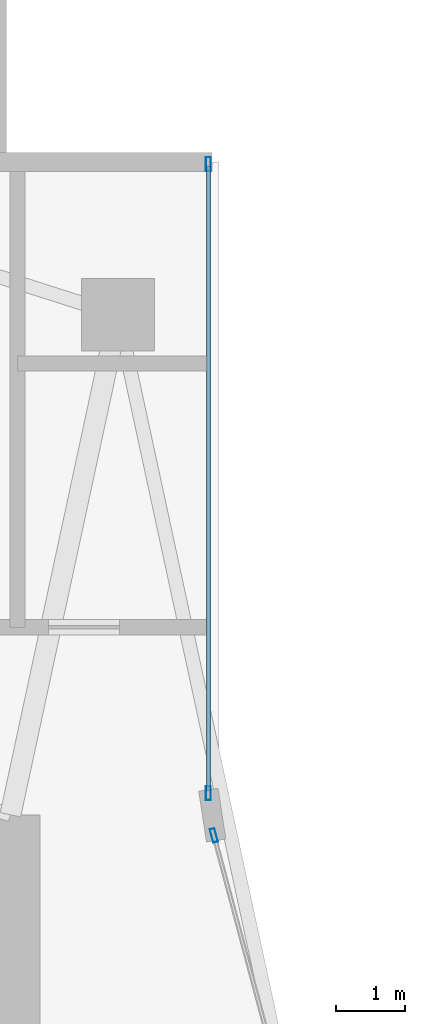
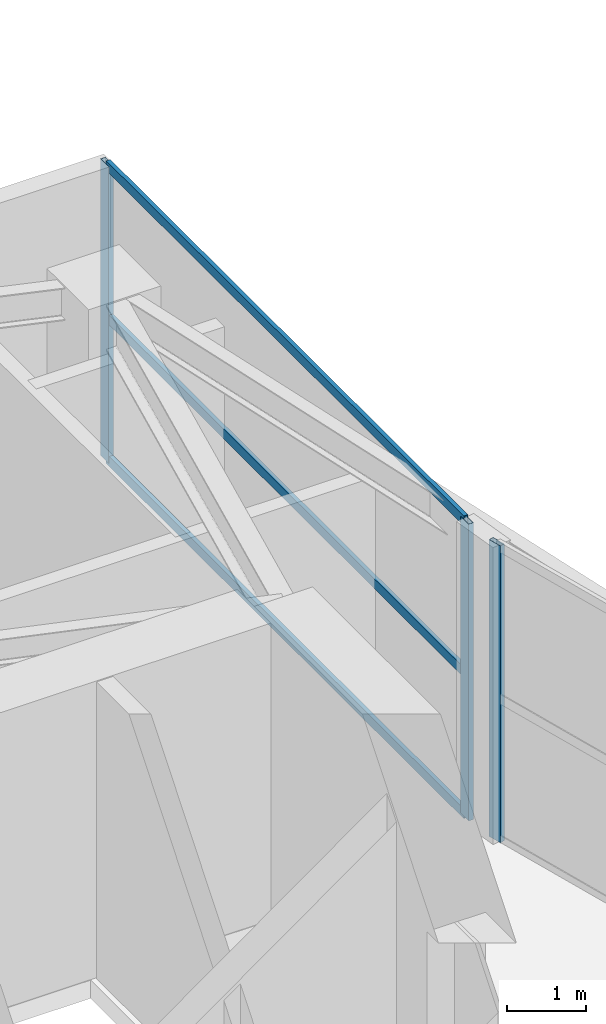
# One storey, part 8 of 19: 6 members, 2 elements without a shape of their own.
"""IFC4 building model written with IfcOpenShell, lengths in metres."""

import ifcopenshell
import ifcopenshell.guid

model = None  # the IFC model being written
_history = None  # IfcOwnerHistory: only IFC2X3 demands one
_inside = {}  # id of a spatial element -> (the spatial element, [elements in it])
_under = {}  # id of a project, library or spatial element -> (it, [spatial elements below it])
_declared = {}  # id of a project -> (the project, [libraries it declares])
_typed = {}  # id of a type object -> (the type object, [elements of that type])
_made_of = {}  # id of a material, layer set ... -> (it, [elements and type objects made of it])


def new_model(schema):
    """Start an empty IFC model of exactly this schema.

    Asked for "IFC4X3", IfcOpenShell would pick the latest addendum, in which some entities
    have other attributes; the version numbers below select the first issue.
    IFC2X3 requires an IfcOwnerHistory on every rooted entity: one is made here for all.
    """
    global model, _history
    if schema == "IFC4X3":
        model = ifcopenshell.file(schema_version=(4, 3, 0, 0))
    else:
        model = ifcopenshell.file(schema=schema)
    _inside.clear()
    _under.clear()
    _declared.clear()
    _typed.clear()
    _made_of.clear()
    _history = None
    if model.schema == "IFC2X3":
        org = make("IfcOrganization", Name="unknown")
        user = make(
            "IfcPersonAndOrganization",
            ThePerson=make("IfcPerson", FamilyName="unknown"),
            TheOrganization=org,
        )
        app = make(
            "IfcApplication",
            ApplicationDeveloper=org,
            Version="unknown",
            ApplicationFullName="unknown",
            ApplicationIdentifier="unknown",
        )
        _history = make(
            "IfcOwnerHistory",
            OwningUser=user,
            OwningApplication=app,
            ChangeAction="ADDED",
            CreationDate=0,
        )
    return model


def make(cls, **values):
    """One entity of the class cls with the attributes given. An attribute that is None is left unset."""
    return model.create_entity(
        cls, **{name: value for name, value in values.items() if value is not None}
    )


def rooted(cls, **values):
    """An entity with a GlobalId (a new one), such as an element, a storey or a relation."""
    return make(cls, GlobalId=ifcopenshell.guid.new(), OwnerHistory=_history, **values)


def si_unit(unit_type, name, prefix=None):
    """IfcSIUnit, for example si_unit("LENGTHUNIT", "METRE", prefix="MILLI")."""
    return make("IfcSIUnit", UnitType=unit_type, Prefix=prefix, Name=name)


def assignment(units):
    """IfcUnitAssignment: the units of a project."""
    return None if units is None else make("IfcUnitAssignment", Units=units)


def point(xyz):
    """IfcCartesianPoint."""
    return None if xyz is None else make("IfcCartesianPoint", Coordinates=xyz)


def direction(xyz):
    """IfcDirection."""
    return None if xyz is None else make("IfcDirection", DirectionRatios=xyz)


def frame(location, z_axis=None, x_axis=None):
    """IfcAxis2Placement3D, a coordinate frame: its origin and axes. An axis left out is left unset."""
    return make(
        "IfcAxis2Placement3D",
        Location=point(location),
        Axis=direction(z_axis),
        RefDirection=direction(x_axis),
    )


def frame_2d(location, x_axis=None):
    """IfcAxis2Placement2D, a coordinate frame in the plane: its origin and x axis."""
    return make(
        "IfcAxis2Placement2D", Location=point(location), RefDirection=direction(x_axis)
    )


def origin():
    """The frame at (0, 0, 0) with its axes left unset."""
    return frame((0.0, 0.0, 0.0))


def origin_2d():
    """The frame at (0, 0) in the plane with its x axis left unset."""
    return frame_2d((0.0, 0.0))


def place(relative_to, where):
    """IfcLocalPlacement: puts the frame where relative to a parent placement (None: the world)."""
    return make(
        "IfcLocalPlacement", PlacementRelTo=relative_to, RelativePlacement=where
    )


def context(
    kind, dimensions, precision=None, world=None, true_north=None, identifier=None
):
    """IfcGeometricRepresentationContext, for example the 3D "Model" context."""
    return make(
        "IfcGeometricRepresentationContext",
        ContextIdentifier=identifier,
        ContextType=kind,
        CoordinateSpaceDimension=dimensions,
        Precision=precision,
        WorldCoordinateSystem=world,
        TrueNorth=true_north,
    )


def subcontext(parent, identifier, kind, view, scale=None):
    """IfcGeometricRepresentationSubContext, for example "Body" below "Model"."""
    return make(
        "IfcGeometricRepresentationSubContext",
        ContextIdentifier=identifier,
        ContextType=kind,
        ParentContext=parent,
        TargetScale=scale,
        TargetView=view,
    )


def project(units=None, contexts=None):
    """IfcProject with its units and contexts."""
    return rooted(
        "IfcProject",
        Name="project",
        RepresentationContexts=contexts,
        UnitsInContext=assignment(units),
    )


def spatial(cls, under=None, at=None, **own):
    """A site, building, storey or space (cls), placed at a placement, below another one or the project."""
    s = rooted(cls, ObjectPlacement=at, **own)
    if under is not None:
        _under.setdefault(under.id(), (under, []))[1].append(s)
    return s


def profile(cls, at=None, kind="AREA", **sizes):
    """A parametric profile (cls). Its sizes go by their IFC names, for example OverallWidth=200.0."""
    return make(cls, ProfileType=kind, Position=at, **sizes)


def hollow_rectangle(**sizes):
    """IfcRectangleHollowProfileDef."""
    return profile("IfcRectangleHollowProfileDef", **sizes)


def extrude(swept, where, along, depth):
    """IfcExtrudedAreaSolid: the profile swept, set in the frame where, extruded along a direction by depth."""
    return make(
        "IfcExtrudedAreaSolid",
        SweptArea=swept,
        Position=where,
        ExtrudedDirection=direction(along),
        Depth=depth,
    )


def shape(context_of_items, identifier, shape_type, items):
    """IfcShapeRepresentation: the items that make up one representation, for example the "Body"."""
    return make(
        "IfcShapeRepresentation",
        ContextOfItems=context_of_items,
        RepresentationIdentifier=identifier,
        RepresentationType=shape_type,
        Items=items,
    )


def material(Name=None, Category=None):
    """IfcMaterial."""
    return make("IfcMaterial", Name=Name, Category=Category)


def layer(
    of_material, thickness, ventilated=None, Name=None, Category=None, Priority=None
):
    """IfcMaterialLayer: one layer of a wall or slab, of a material (None: an air gap)."""
    return make(
        "IfcMaterialLayer",
        Material=of_material,
        LayerThickness=thickness,
        IsVentilated=ventilated,
        Name=Name,
        Category=Category,
        Priority=Priority,
    )


def layer_set(layers, Name=None):
    """IfcMaterialLayerSet."""
    return make("IfcMaterialLayerSet", MaterialLayers=layers, LayerSetName=Name)


def material_profile(
    of_material, cross_section, Name=None, Category=None, Priority=None
):
    """IfcMaterialProfile: a cross section and its material."""
    return make(
        "IfcMaterialProfile",
        Name=Name,
        Material=of_material,
        Profile=cross_section,
        Priority=Priority,
        Category=Category,
    )


def profile_set(profiles, Name=None, composite=None):
    """IfcMaterialProfileSet."""
    return make(
        "IfcMaterialProfileSet",
        Name=Name,
        MaterialProfiles=profiles,
        CompositeProfile=composite,
    )


def made_of(thing, what):
    """Note that an element or type object is made of a material, layer set ...; save() writes the relation."""
    if what is not None:
        _made_of.setdefault(what.id(), (what, []))[1].append(thing)
    return thing


def type_object(cls, material=None, **own):
    """A type object (cls), such as IfcWallType, which elements share."""
    return made_of(rooted(cls, **own), material)


def element(
    cls,
    number,
    at=None,
    inside=None,
    cuts=None,
    type_object=None,
    material=None,
    context=None,
    identifier="Body",
    shape_type=None,
    held_by="IfcProductDefinitionShape",
    body=None,
    shapes=None,
    **own,
):
    """One element of the class cls, such as IfcWall. Its Tag is "e" and its number.

    at: its placement. inside: the storey or other place that contains it. cuts: it is an
    opening in that element (IfcRelVoidsElement). A single representation is given by context,
    identifier, shape_type and body (its items); several are given by shapes. held_by: the class
    of the entity that holds the representations. save() writes the other relations.
    """
    e = rooted(cls, Tag="e%d" % number, ObjectPlacement=at, **own)
    if body is not None:
        shapes = [shape(context, identifier, shape_type, body)]
    if shapes is not None:
        e.Representation = make(held_by, Representations=shapes)
    if inside is not None:
        _inside.setdefault(inside.id(), (inside, []))[1].append(e)
    if cuts is not None:
        rooted(
            "IfcRelVoidsElement", RelatingBuildingElement=cuts, RelatedOpeningElement=e
        )
    if type_object is not None:
        _typed.setdefault(type_object.id(), (type_object, []))[1].append(e)
    return made_of(e, material)


def aggregate(whole, parts):
    """IfcRelAggregates: a whole, such as a stair, and the parts it consists of."""
    return rooted("IfcRelAggregates", RelatingObject=whole, RelatedObjects=parts)


def save(model, path):
    """Write the relations noted so far, then the file.

    IfcRelAggregates (storeys below a building ...), IfcRelContainedInSpatialStructure (elements
    in a storey), IfcRelDefinesByType, IfcRelAssociatesMaterial and IfcRelDeclares: one each for
    every whole, place, type object, material and project.
    """
    for whole, parts in _under.values():
        aggregate(whole, parts)
    for where, things in _inside.values():
        rooted(
            "IfcRelContainedInSpatialStructure",
            RelatedElements=things,
            RelatingStructure=where,
        )
    for kind, things in _typed.values():
        rooted("IfcRelDefinesByType", RelatedObjects=things, RelatingType=kind)
    for what, things in _made_of.values():
        rooted("IfcRelAssociatesMaterial", RelatedObjects=things, RelatingMaterial=what)
    for by, libraries in _declared.values():
        rooted("IfcRelDeclares", RelatingContext=by, RelatedDefinitions=libraries)
    model.write(path)


model = new_model("IFC4")

# Units and contexts
model_context = context("Model", 3, precision=1e-05, world=origin(), true_north=direction((0.0, 1.0)))
body_context = subcontext(model_context, "Body", "Model", "MODEL_VIEW")
ifc_project = project(units=[si_unit("LENGTHUNIT", "METRE"), si_unit("AREAUNIT", "SQUARE_METRE"), si_unit("VOLUMEUNIT", "CUBIC_METRE"), si_unit("PLANEANGLEUNIT", "RADIAN"), si_unit("MASSUNIT", "GRAM", prefix="KILO")], contexts=[model_context])

# Site, building, storey
site_placement = place(None, origin())
site = spatial("IfcSite", under=ifc_project, at=site_placement, CompositionType="ELEMENT")
building_placement = place(site_placement, origin())
building = spatial("IfcBuilding", under=site, at=building_placement, Name="Calvorn Quay Hotel", CompositionType="ELEMENT")
storey_placement = place(building_placement, frame((0.0, 0.0, 139.199951171875)))
storey = spatial("IfcBuildingStorey", under=building, at=storey_placement, Name="L34", CompositionType="ELEMENT", Elevation=139.199951171875)

# Curtain wall, member
ifc_material_1 = material(Name="Pale Anodised Aluminium and Low-E Glass", Category="aluminium")
ifc_layer = layer(ifc_material_1, 0.219970703125)
ifc_layer_set = layer_set([ifc_layer], Name="CW-SYS-Z2")
curtain_wall_type = type_object("IfcCurtainWallType", Name="CW-SYS-Z2", PredefinedType="NOTDEFINED", material=ifc_layer_set)
curtain_wall_1_placement = place(storey_placement, origin())
curtain_wall_1 = element("IfcCurtainWall", 1, at=curtain_wall_1_placement, inside=storey, type_object=curtain_wall_type, Name="Inner Court Curtain Wall L34-IC1", PredefinedType="NOTDEFINED")
ifc_material_2 = material(Name="Pale Anodised Aluminium 6063-T6", Category="aluminium")
ifc_material_profile_1 = material_profile(ifc_material_2, hollow_rectangle(XDim=0.070068359375, YDim=0.199951171875, WallThickness=0.00390625, at=origin_2d()), Name="ALU-M200x70x4")
ifc_profile_set_1 = profile_set([ifc_material_profile_1], Name="Pale Anodised Aluminium 6063-T6")
member_type_1 = type_object("IfcMemberType", Name="CW-SYS-Z2-MUL", PredefinedType="MULLION", material=ifc_profile_set_1)
member_1_placement = place(storey_placement, frame((17.9296875, 38.10107421875, 0.0), z_axis=(0.0, 0.0, 1.0), x_axis=(-0.96593652056, -0.25877913024, 0.0)))
member_1 = element("IfcMember", 2, at=member_1_placement, type_object=member_type_1, Name="CW-L34-IC1 mullion 2", PredefinedType="MULLION", context=body_context, shape_type="SweptSolid", body=[
    extrude(hollow_rectangle(XDim=0.070068359375, YDim=0.199951171875, WallThickness=0.00390625, at=origin_2d()), origin(), (0.0, 0.0, 1.0), 4.56005859375),
])
aggregate(curtain_wall_1, [member_1])

# Curtain wall, members
curtain_wall_2_placement = place(storey_placement, origin())
curtain_wall_2 = element("IfcCurtainWall", 3, at=curtain_wall_2_placement, inside=storey, type_object=curtain_wall_type, Name="Inner Court Curtain Wall L34-IC2", PredefinedType="NOTDEFINED")
member_2_placement = place(storey_placement, frame((17.85009765625, 38.7099609375, 0.0), z_axis=(0.0, 0.0, 1.0), x_axis=(-1.0, 0.0, 0.0)))
member_2 = element("IfcMember", 4, at=member_2_placement, type_object=member_type_1, Name="CW-L34-IC2 mullion 1", PredefinedType="MULLION", context=body_context, shape_type="SweptSolid", body=[
    extrude(hollow_rectangle(XDim=0.070068359375, YDim=0.199951171875, WallThickness=0.00390625, at=origin_2d()), origin(), (0.0, 0.0, 1.0), 4.56005859375),
])
member_3_placement = place(storey_placement, frame((17.85009765625, 47.77001953125, 0.0), z_axis=(0.0, 0.0, 1.0), x_axis=(-1.0, 0.0, 0.0)))
member_3 = element("IfcMember", 5, at=member_3_placement, type_object=member_type_1, Name="CW-L34-IC2 mullion 2", PredefinedType="MULLION", context=body_context, shape_type="SweptSolid", body=[
    extrude(hollow_rectangle(XDim=0.070068359375, YDim=0.199951171875, WallThickness=0.00390625, at=origin_2d()), origin(), (0.0, 0.0, 1.0), 4.56005859375),
])
ifc_material_3 = material(Name="Pale Anodised Aluminium 6063-T6", Category="aluminium")
ifc_material_profile_2 = material_profile(ifc_material_3, hollow_rectangle(XDim=0.06005859375, YDim=0.14990234375, WallThickness=0.00341796875, at=origin_2d()), Name="ALU-T150x60x3.5")
ifc_profile_set_2 = profile_set([ifc_material_profile_2], Name="Pale Anodised Aluminium 6063-T6")
member_type_2 = type_object("IfcMemberType", Name="CW-SYS-Z2-TRN", PredefinedType="USERDEFINED", material=ifc_profile_set_2)
member_4_placement = place(storey_placement, frame((17.85009765625, 38.739990234375, 0.030029296875), z_axis=(0.0, 1.0, 0.0), x_axis=(-1.0, 0.0, 0.0)))
member_4 = element("IfcMember", 6, at=member_4_placement, type_object=member_type_2, Name="CW-L34-IC2 transom 1.1", ObjectType="TRANSOM", PredefinedType="USERDEFINED", context=body_context, shape_type="SweptSolid", body=[
    extrude(hollow_rectangle(XDim=0.06005859375, YDim=0.14990234375, WallThickness=0.00341796875, at=origin_2d()), origin(), (0.0, 0.0, 1.0), 9.0),
])
member_5_placement = place(storey_placement, frame((17.85009765625, 38.739990234375, 2.199951171875), z_axis=(0.0, 1.0, 0.0), x_axis=(-1.0, 0.0, 0.0)))
member_5 = element("IfcMember", 7, at=member_5_placement, type_object=member_type_2, Name="CW-L34-IC2 transom 1.2", ObjectType="TRANSOM", PredefinedType="USERDEFINED", context=body_context, shape_type="SweptSolid", body=[
    extrude(hollow_rectangle(XDim=0.06005859375, YDim=0.14990234375, WallThickness=0.00341796875, at=origin_2d()), origin(), (0.0, 0.0, 1.0), 9.0),
])
member_6_placement = place(storey_placement, frame((17.85009765625, 38.739990234375, 4.530029296875), z_axis=(0.0, 1.0, 0.0), x_axis=(-1.0, 0.0, 0.0)))
member_6 = element("IfcMember", 8, at=member_6_placement, type_object=member_type_2, Name="CW-L34-IC2 transom 1.3", ObjectType="TRANSOM", PredefinedType="USERDEFINED", context=body_context, shape_type="SweptSolid", body=[
    extrude(hollow_rectangle(XDim=0.06005859375, YDim=0.14990234375, WallThickness=0.00341796875, at=origin_2d()), origin(), (0.0, 0.0, 1.0), 9.0),
])
aggregate(curtain_wall_2, [member_2, member_3, member_4, member_5, member_6])

save(model, "model.ifc")
